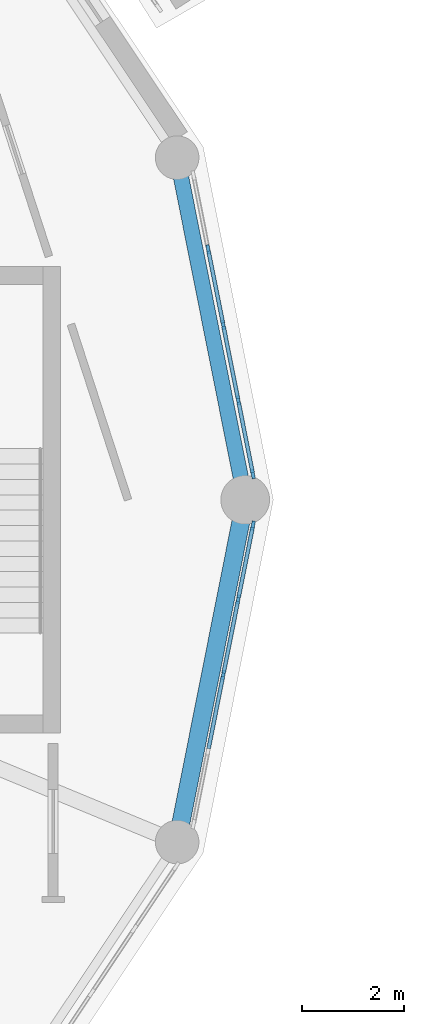
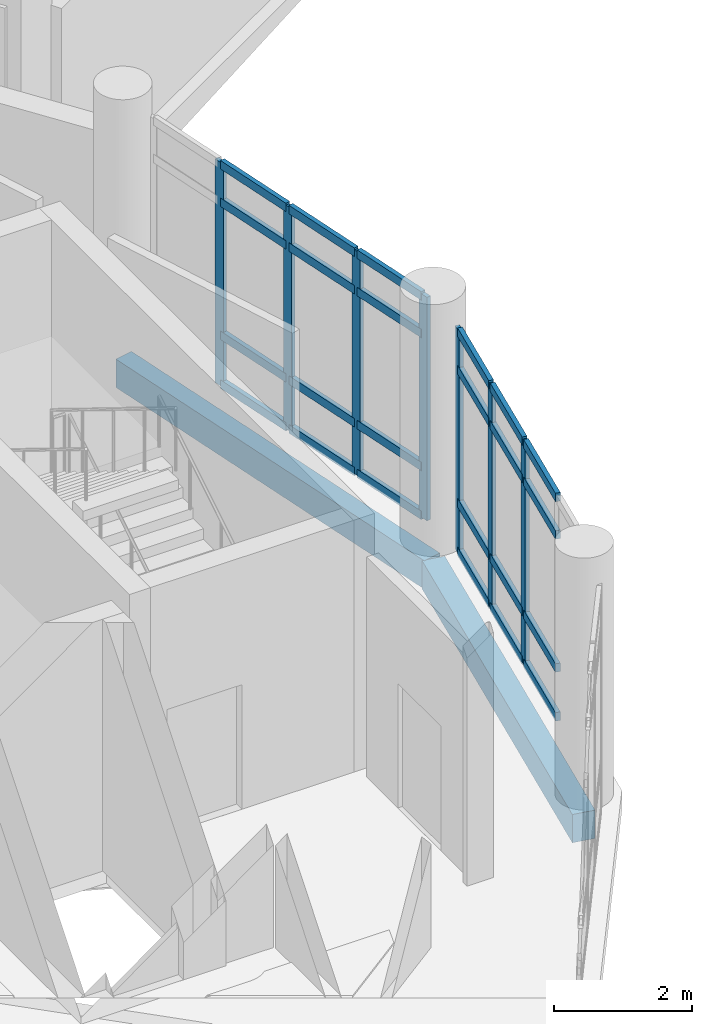
# One storey, part 15 of 75: 31 members, 2 beams, 2 elements without a shape of their own.
"""IFC4 building model written with IfcOpenShell, lengths in metres."""

import ifcopenshell
import ifcopenshell.guid

model = None  # the IFC model being written
_history = None  # IfcOwnerHistory: only IFC2X3 demands one
_inside = {}  # id of a spatial element -> (the spatial element, [elements in it])
_under = {}  # id of a project, library or spatial element -> (it, [spatial elements below it])
_declared = {}  # id of a project -> (the project, [libraries it declares])
_typed = {}  # id of a type object -> (the type object, [elements of that type])
_made_of = {}  # id of a material, layer set ... -> (it, [elements and type objects made of it])


def new_model(schema):
    """Start an empty IFC model of exactly this schema.

    Asked for "IFC4X3", IfcOpenShell would pick the latest addendum, in which some entities
    have other attributes; the version numbers below select the first issue.
    IFC2X3 requires an IfcOwnerHistory on every rooted entity: one is made here for all.
    """
    global model, _history
    if schema == "IFC4X3":
        model = ifcopenshell.file(schema_version=(4, 3, 0, 0))
    else:
        model = ifcopenshell.file(schema=schema)
    _inside.clear()
    _under.clear()
    _declared.clear()
    _typed.clear()
    _made_of.clear()
    _history = None
    if model.schema == "IFC2X3":
        org = make("IfcOrganization", Name="unknown")
        user = make(
            "IfcPersonAndOrganization",
            ThePerson=make("IfcPerson", FamilyName="unknown"),
            TheOrganization=org,
        )
        app = make(
            "IfcApplication",
            ApplicationDeveloper=org,
            Version="unknown",
            ApplicationFullName="unknown",
            ApplicationIdentifier="unknown",
        )
        _history = make(
            "IfcOwnerHistory",
            OwningUser=user,
            OwningApplication=app,
            ChangeAction="ADDED",
            CreationDate=0,
        )
    return model


def make(cls, **values):
    """One entity of the class cls with the attributes given. An attribute that is None is left unset."""
    return model.create_entity(
        cls, **{name: value for name, value in values.items() if value is not None}
    )


def rooted(cls, **values):
    """An entity with a GlobalId (a new one), such as an element, a storey or a relation."""
    return make(cls, GlobalId=ifcopenshell.guid.new(), OwnerHistory=_history, **values)


def si_unit(unit_type, name, prefix=None):
    """IfcSIUnit, for example si_unit("LENGTHUNIT", "METRE", prefix="MILLI")."""
    return make("IfcSIUnit", UnitType=unit_type, Prefix=prefix, Name=name)


def assignment(units):
    """IfcUnitAssignment: the units of a project."""
    return None if units is None else make("IfcUnitAssignment", Units=units)


def point(xyz):
    """IfcCartesianPoint."""
    return None if xyz is None else make("IfcCartesianPoint", Coordinates=xyz)


def direction(xyz):
    """IfcDirection."""
    return None if xyz is None else make("IfcDirection", DirectionRatios=xyz)


def frame(location, z_axis=None, x_axis=None):
    """IfcAxis2Placement3D, a coordinate frame: its origin and axes. An axis left out is left unset."""
    return make(
        "IfcAxis2Placement3D",
        Location=point(location),
        Axis=direction(z_axis),
        RefDirection=direction(x_axis),
    )


def frame_2d(location, x_axis=None):
    """IfcAxis2Placement2D, a coordinate frame in the plane: its origin and x axis."""
    return make(
        "IfcAxis2Placement2D", Location=point(location), RefDirection=direction(x_axis)
    )


def origin():
    """The frame at (0, 0, 0) with its axes left unset."""
    return frame((0.0, 0.0, 0.0))


def origin_2d():
    """The frame at (0, 0) in the plane with its x axis left unset."""
    return frame_2d((0.0, 0.0))


def place(relative_to, where):
    """IfcLocalPlacement: puts the frame where relative to a parent placement (None: the world)."""
    return make(
        "IfcLocalPlacement", PlacementRelTo=relative_to, RelativePlacement=where
    )


def context(
    kind, dimensions, precision=None, world=None, true_north=None, identifier=None
):
    """IfcGeometricRepresentationContext, for example the 3D "Model" context."""
    return make(
        "IfcGeometricRepresentationContext",
        ContextIdentifier=identifier,
        ContextType=kind,
        CoordinateSpaceDimension=dimensions,
        Precision=precision,
        WorldCoordinateSystem=world,
        TrueNorth=true_north,
    )


def subcontext(parent, identifier, kind, view, scale=None):
    """IfcGeometricRepresentationSubContext, for example "Body" below "Model"."""
    return make(
        "IfcGeometricRepresentationSubContext",
        ContextIdentifier=identifier,
        ContextType=kind,
        ParentContext=parent,
        TargetScale=scale,
        TargetView=view,
    )


def project(units=None, contexts=None):
    """IfcProject with its units and contexts."""
    return rooted(
        "IfcProject",
        Name="project",
        RepresentationContexts=contexts,
        UnitsInContext=assignment(units),
    )


def spatial(cls, under=None, at=None, **own):
    """A site, building, storey or space (cls), placed at a placement, below another one or the project."""
    s = rooted(cls, ObjectPlacement=at, **own)
    if under is not None:
        _under.setdefault(under.id(), (under, []))[1].append(s)
    return s


def profile(cls, at=None, kind="AREA", **sizes):
    """A parametric profile (cls). Its sizes go by their IFC names, for example OverallWidth=200.0."""
    return make(cls, ProfileType=kind, Position=at, **sizes)


def rectangle(**sizes):
    """IfcRectangleProfileDef."""
    return profile("IfcRectangleProfileDef", **sizes)


def extrude(swept, where, along, depth):
    """IfcExtrudedAreaSolid: the profile swept, set in the frame where, extruded along a direction by depth."""
    return make(
        "IfcExtrudedAreaSolid",
        SweptArea=swept,
        Position=where,
        ExtrudedDirection=direction(along),
        Depth=depth,
    )


def shape(context_of_items, identifier, shape_type, items):
    """IfcShapeRepresentation: the items that make up one representation, for example the "Body"."""
    return make(
        "IfcShapeRepresentation",
        ContextOfItems=context_of_items,
        RepresentationIdentifier=identifier,
        RepresentationType=shape_type,
        Items=items,
    )


def material(Name=None, Category=None):
    """IfcMaterial."""
    return make("IfcMaterial", Name=Name, Category=Category)


def material_profile(
    of_material, cross_section, Name=None, Category=None, Priority=None
):
    """IfcMaterialProfile: a cross section and its material."""
    return make(
        "IfcMaterialProfile",
        Name=Name,
        Material=of_material,
        Profile=cross_section,
        Priority=Priority,
        Category=Category,
    )


def profile_set(profiles, Name=None, composite=None):
    """IfcMaterialProfileSet."""
    return make(
        "IfcMaterialProfileSet",
        Name=Name,
        MaterialProfiles=profiles,
        CompositeProfile=composite,
    )


def made_of(thing, what):
    """Note that an element or type object is made of a material, layer set ...; save() writes the relation."""
    if what is not None:
        _made_of.setdefault(what.id(), (what, []))[1].append(thing)
    return thing


def type_object(cls, material=None, **own):
    """A type object (cls), such as IfcWallType, which elements share."""
    return made_of(rooted(cls, **own), material)


def element(
    cls,
    number,
    at=None,
    inside=None,
    cuts=None,
    type_object=None,
    material=None,
    context=None,
    identifier="Body",
    shape_type=None,
    held_by="IfcProductDefinitionShape",
    body=None,
    shapes=None,
    **own,
):
    """One element of the class cls, such as IfcWall. Its Tag is "e" and its number.

    at: its placement. inside: the storey or other place that contains it. cuts: it is an
    opening in that element (IfcRelVoidsElement). A single representation is given by context,
    identifier, shape_type and body (its items); several are given by shapes. held_by: the class
    of the entity that holds the representations. save() writes the other relations.
    """
    e = rooted(cls, Tag="e%d" % number, ObjectPlacement=at, **own)
    if body is not None:
        shapes = [shape(context, identifier, shape_type, body)]
    if shapes is not None:
        e.Representation = make(held_by, Representations=shapes)
    if inside is not None:
        _inside.setdefault(inside.id(), (inside, []))[1].append(e)
    if cuts is not None:
        rooted(
            "IfcRelVoidsElement", RelatingBuildingElement=cuts, RelatedOpeningElement=e
        )
    if type_object is not None:
        _typed.setdefault(type_object.id(), (type_object, []))[1].append(e)
    return made_of(e, material)


def aggregate(whole, parts):
    """IfcRelAggregates: a whole, such as a stair, and the parts it consists of."""
    return rooted("IfcRelAggregates", RelatingObject=whole, RelatedObjects=parts)


def save(model, path):
    """Write the relations noted so far, then the file.

    IfcRelAggregates (storeys below a building ...), IfcRelContainedInSpatialStructure (elements
    in a storey), IfcRelDefinesByType, IfcRelAssociatesMaterial and IfcRelDeclares: one each for
    every whole, place, type object, material and project.
    """
    for whole, parts in _under.values():
        aggregate(whole, parts)
    for where, things in _inside.values():
        rooted(
            "IfcRelContainedInSpatialStructure",
            RelatedElements=things,
            RelatingStructure=where,
        )
    for kind, things in _typed.values():
        rooted("IfcRelDefinesByType", RelatedObjects=things, RelatingType=kind)
    for what, things in _made_of.values():
        rooted("IfcRelAssociatesMaterial", RelatedObjects=things, RelatingMaterial=what)
    for by, libraries in _declared.values():
        rooted("IfcRelDeclares", RelatingContext=by, RelatedDefinitions=libraries)
    model.write(path)


model = new_model("IFC4")

# Units and contexts
model_context = context("Model", 3, precision=1e-05, world=origin(), true_north=direction((0.0, 1.0)))
body_context = subcontext(model_context, "Body", "Model", "MODEL_VIEW")
ifc_project = project(units=[si_unit("LENGTHUNIT", "METRE"), si_unit("AREAUNIT", "SQUARE_METRE"), si_unit("VOLUMEUNIT", "CUBIC_METRE"), si_unit("PLANEANGLEUNIT", "RADIAN"), si_unit("MASSUNIT", "GRAM", prefix="KILO")], contexts=[model_context])

# Site, building, storey
site_placement = place(None, origin())
site = spatial("IfcSite", under=ifc_project, at=site_placement, CompositionType="ELEMENT")
building_placement = place(site_placement, origin())
building = spatial("IfcBuilding", under=site, at=building_placement, Name="Soyqirgoq Riverine Aquarium", CompositionType="ELEMENT")
storey_placement = place(building_placement, frame((0.0, 0.0, 10.199951171875)))
storey = spatial("IfcBuildingStorey", under=building, at=storey_placement, Name="L03", CompositionType="ELEMENT", Elevation=10.199951171875)

# Curtain wall, members
ifc_material_1 = material(Name="Anodised aluminium thermally broken triple low-E glazing", Category="aluminium")
curtain_wall_type = type_object("IfcCurtainWallType", Name="CW_DrumGallery_Unitised", PredefinedType="NOTDEFINED", material=ifc_material_1)
curtain_wall_1_placement = place(storey_placement, origin())
curtain_wall_1 = element("IfcCurtainWall", 1, at=curtain_wall_1_placement, inside=storey, type_object=curtain_wall_type, Name="V1 L03 Curtain Wall 003", PredefinedType="NOTDEFINED")
ifc_material_2 = material(Name="Anodised aluminium 6063-T6", Category="aluminium")
ifc_material_profile_1 = material_profile(ifc_material_2, rectangle(XDim=0.06494140625, YDim=0.179931640625, at=origin_2d()), Name="ALU-M 65x180")
ifc_profile_set_1 = profile_set([ifc_material_profile_1], Name="Anodised aluminium 6063-T6")
member_type_1 = type_object("IfcMemberType", Name="CWMullion_65x180", PredefinedType="MULLION", material=ifc_profile_set_1)
member_1_placement = place(storey_placement, frame((73.600341796875, 57.5009765625, 0.0), z_axis=(0.0, 0.0, 1.0), x_axis=(-0.980784364221, -0.195094927919, 0.0)))
member_1 = element("IfcMember", 2, at=member_1_placement, type_object=member_type_1, Name="CW-01 mullion 1", PredefinedType="MULLION", context=body_context, shape_type="SweptSolid", body=[
    extrude(rectangle(XDim=0.06494140625, YDim=0.179931640625, at=origin_2d()), origin(), (0.0, 0.0, 1.0), 3.949951171875),
])
member_2_placement = place(storey_placement, frame((73.313720703125, 58.942138671875, 0.0), z_axis=(0.0, 0.0, 1.0), x_axis=(-0.980784364221, -0.195094927919, 0.0)))
member_2 = element("IfcMember", 3, at=member_2_placement, type_object=member_type_1, Name="CW-01 mullion 2", PredefinedType="MULLION", context=body_context, shape_type="SweptSolid", body=[
    extrude(rectangle(XDim=0.06494140625, YDim=0.179931640625, at=origin_2d()), origin(), (0.0, 0.0, 1.0), 3.949951171875),
])
member_3_placement = place(storey_placement, frame((73.020751953125, 60.415283203125, 0.0), z_axis=(0.0, 0.0, 1.0), x_axis=(-0.980784364221, -0.195094927919, 0.0)))
member_3 = element("IfcMember", 4, at=member_3_placement, type_object=member_type_1, Name="CW-01 mullion 3", PredefinedType="MULLION", context=body_context, shape_type="SweptSolid", body=[
    extrude(rectangle(XDim=0.06494140625, YDim=0.179931640625, at=origin_2d()), origin(), (0.0, 0.0, 1.0), 3.949951171875),
])
member_4_placement = place(storey_placement, frame((72.7275390625, 61.888427734375, 0.0), z_axis=(0.0, 0.0, 1.0), x_axis=(-0.980784364221, -0.195094927919, 0.0)))
member_4 = element("IfcMember", 5, at=member_4_placement, type_object=member_type_1, Name="CW-01 mullion 4", PredefinedType="MULLION", context=body_context, shape_type="SweptSolid", body=[
    extrude(rectangle(XDim=0.06494140625, YDim=0.179931640625, at=origin_2d()), origin(), (0.0, 0.0, 1.0), 3.949951171875),
])

curtain_wall_2_placement = place(storey_placement, origin())
curtain_wall_2 = element("IfcCurtainWall", 6, at=curtain_wall_2_placement, inside=storey, type_object=curtain_wall_type, Name="V1 L03 Curtain Wall 074", PredefinedType="NOTDEFINED")
member_5_placement = place(storey_placement, frame((73.020751953125, 53.584716796875, 0.0), z_axis=(0.0, 0.0, 1.0), x_axis=(-0.980784364221, 0.195094927919, 0.0)))
member_5 = element("IfcMember", 7, at=member_5_placement, type_object=member_type_1, Name="CW-01 mullion 3", PredefinedType="MULLION", context=body_context, shape_type="SweptSolid", body=[
    extrude(rectangle(XDim=0.06494140625, YDim=0.179931640625, at=origin_2d()), origin(), (0.0, 0.0, 1.0), 3.949951171875),
])
member_6_placement = place(storey_placement, frame((73.313720703125, 55.057861328125, 0.0), z_axis=(0.0, 0.0, 1.0), x_axis=(-0.980784364221, 0.195094927919, 0.0)))
member_6 = element("IfcMember", 8, at=member_6_placement, type_object=member_type_1, Name="CW-01 mullion 4", PredefinedType="MULLION", context=body_context, shape_type="SweptSolid", body=[
    extrude(rectangle(XDim=0.06494140625, YDim=0.179931640625, at=origin_2d()), origin(), (0.0, 0.0, 1.0), 3.949951171875),
])
member_7_placement = place(storey_placement, frame((73.600341796875, 56.4990234375, 0.0), z_axis=(0.0, 0.0, 1.0), x_axis=(-0.980784364221, 0.195094927919, 0.0)))
member_7 = element("IfcMember", 9, at=member_7_placement, type_object=member_type_1, Name="CW-01 mullion 5", PredefinedType="MULLION", context=body_context, shape_type="SweptSolid", body=[
    extrude(rectangle(XDim=0.06494140625, YDim=0.179931640625, at=origin_2d()), origin(), (0.0, 0.0, 1.0), 3.949951171875),
])

# Member
ifc_material_3 = material(Name="Anodised aluminium 6063-T6", Category="aluminium")
ifc_material_profile_2 = material_profile(ifc_material_3, rectangle(XDim=0.074951171875, YDim=0.14990234375, at=origin_2d()), Name="ALU-T 75x150")
ifc_profile_set_2 = profile_set([ifc_material_profile_2], Name="Anodised aluminium 6063-T6")
member_type_2 = type_object("IfcMemberType", Name="CWTransom_75x150", PredefinedType="USERDEFINED", material=ifc_profile_set_2)
member_8_placement = place(storey_placement, frame((73.593994140625, 57.532958984375, 0.03759765625), z_axis=(-0.195046246068, 0.980794046625, 0.0), x_axis=(-0.980794046625, -0.195046246068, 0.0)))
member_8 = element("IfcMember", 10, at=member_8_placement, type_object=member_type_2, Name="CW-01 transom 1.1", ObjectType="TRANSOM", PredefinedType="USERDEFINED", context=body_context, shape_type="SweptSolid", body=[
    extrude(rectangle(XDim=0.074951171875, YDim=0.14990234375, at=origin_2d()), origin(), (0.0, 0.0, 1.0), 1.404296875),
])

member_9_placement = place(storey_placement, frame((73.593994140625, 57.532958984375, 0.900146484375), z_axis=(-0.195046246068, 0.980794046625, 0.0), x_axis=(-0.980794046625, -0.195046246068, 0.0)))
member_9 = element("IfcMember", 11, at=member_9_placement, type_object=member_type_2, Name="CW-01 transom 1.2", ObjectType="TRANSOM", PredefinedType="USERDEFINED", context=body_context, shape_type="SweptSolid", body=[
    extrude(rectangle(XDim=0.074951171875, YDim=0.14990234375, at=origin_2d()), origin(), (0.0, 0.0, 1.0), 1.404296875),
])

member_10_placement = place(storey_placement, frame((73.593994140625, 57.532958984375, 3.25), z_axis=(-0.195046246068, 0.980794046625, 0.0), x_axis=(-0.980794046625, -0.195046246068, 0.0)))
member_10 = element("IfcMember", 12, at=member_10_placement, type_object=member_type_2, Name="CW-01 transom 1.3", ObjectType="TRANSOM", PredefinedType="USERDEFINED", context=body_context, shape_type="SweptSolid", body=[
    extrude(rectangle(XDim=0.074951171875, YDim=0.14990234375, at=origin_2d()), origin(), (0.0, 0.0, 1.0), 1.404296875),
])

member_11_placement = place(storey_placement, frame((73.593994140625, 57.532958984375, 3.91259765625), z_axis=(-0.195046246068, 0.980794046625, 0.0), x_axis=(-0.980794046625, -0.195046246068, 0.0)))
member_11 = element("IfcMember", 13, at=member_11_placement, type_object=member_type_2, Name="CW-01 transom 1.4", ObjectType="TRANSOM", PredefinedType="USERDEFINED", context=body_context, shape_type="SweptSolid", body=[
    extrude(rectangle(XDim=0.074951171875, YDim=0.14990234375, at=origin_2d()), origin(), (0.0, 0.0, 1.0), 1.404296875),
])

member_12_placement = place(storey_placement, frame((73.307373046875, 58.97412109375, 0.03759765625), z_axis=(-0.195037845707, 0.980795717131, 0.0), x_axis=(-0.980795717131, -0.195037845707, 0.0)))
member_12 = element("IfcMember", 14, at=member_12_placement, type_object=member_type_2, Name="CW-01 transom 2.1", ObjectType="TRANSOM", PredefinedType="USERDEFINED", context=body_context, shape_type="SweptSolid", body=[
    extrude(rectangle(XDim=0.074951171875, YDim=0.14990234375, at=origin_2d()), origin(), (0.0, 0.0, 1.0), 1.43701171875),
])

member_13_placement = place(storey_placement, frame((73.307373046875, 58.97412109375, 0.900146484375), z_axis=(-0.195037845707, 0.980795717131, 0.0), x_axis=(-0.980795717131, -0.195037845707, 0.0)))
member_13 = element("IfcMember", 15, at=member_13_placement, type_object=member_type_2, Name="CW-01 transom 2.2", ObjectType="TRANSOM", PredefinedType="USERDEFINED", context=body_context, shape_type="SweptSolid", body=[
    extrude(rectangle(XDim=0.074951171875, YDim=0.14990234375, at=origin_2d()), origin(), (0.0, 0.0, 1.0), 1.43701171875),
])

member_14_placement = place(storey_placement, frame((73.307373046875, 58.97412109375, 3.25), z_axis=(-0.195037845707, 0.980795717131, 0.0), x_axis=(-0.980795717131, -0.195037845707, 0.0)))
member_14 = element("IfcMember", 16, at=member_14_placement, type_object=member_type_2, Name="CW-01 transom 2.3", ObjectType="TRANSOM", PredefinedType="USERDEFINED", context=body_context, shape_type="SweptSolid", body=[
    extrude(rectangle(XDim=0.074951171875, YDim=0.14990234375, at=origin_2d()), origin(), (0.0, 0.0, 1.0), 1.43701171875),
])

member_15_placement = place(storey_placement, frame((73.307373046875, 58.97412109375, 3.91259765625), z_axis=(-0.195037845707, 0.980795717131, 0.0), x_axis=(-0.980795717131, -0.195037845707, 0.0)))
member_15 = element("IfcMember", 17, at=member_15_placement, type_object=member_type_2, Name="CW-01 transom 2.4", ObjectType="TRANSOM", PredefinedType="USERDEFINED", context=body_context, shape_type="SweptSolid", body=[
    extrude(rectangle(XDim=0.074951171875, YDim=0.14990234375, at=origin_2d()), origin(), (0.0, 0.0, 1.0), 1.43701171875),
])

member_16_placement = place(storey_placement, frame((73.014404296875, 60.447265625, 0.03759765625), z_axis=(-0.195233798185, 0.980756730309, 0.0), x_axis=(-0.980756730309, -0.195233798185, 0.0)))
member_16 = element("IfcMember", 18, at=member_16_placement, type_object=member_type_2, Name="CW-01 transom 3.1", ObjectType="TRANSOM", PredefinedType="USERDEFINED", context=body_context, shape_type="SweptSolid", body=[
    extrude(rectangle(XDim=0.074951171875, YDim=0.14990234375, at=origin_2d()), origin(), (0.0, 0.0, 1.0), 1.436767578125),
])

member_17_placement = place(storey_placement, frame((73.014404296875, 60.447265625, 0.900146484375), z_axis=(-0.195233798185, 0.980756730309, 0.0), x_axis=(-0.980756730309, -0.195233798185, 0.0)))
member_17 = element("IfcMember", 19, at=member_17_placement, type_object=member_type_2, Name="CW-01 transom 3.2", ObjectType="TRANSOM", PredefinedType="USERDEFINED", context=body_context, shape_type="SweptSolid", body=[
    extrude(rectangle(XDim=0.074951171875, YDim=0.14990234375, at=origin_2d()), origin(), (0.0, 0.0, 1.0), 1.436767578125),
])

member_18_placement = place(storey_placement, frame((73.014404296875, 60.447265625, 3.25), z_axis=(-0.195233798185, 0.980756730309, 0.0), x_axis=(-0.980756730309, -0.195233798185, 0.0)))
member_18 = element("IfcMember", 20, at=member_18_placement, type_object=member_type_2, Name="CW-01 transom 3.3", ObjectType="TRANSOM", PredefinedType="USERDEFINED", context=body_context, shape_type="SweptSolid", body=[
    extrude(rectangle(XDim=0.074951171875, YDim=0.14990234375, at=origin_2d()), origin(), (0.0, 0.0, 1.0), 1.436767578125),
])

member_19_placement = place(storey_placement, frame((73.014404296875, 60.447265625, 3.91259765625), z_axis=(-0.195233798185, 0.980756730309, 0.0), x_axis=(-0.980756730309, -0.195233798185, 0.0)))
member_19 = element("IfcMember", 21, at=member_19_placement, type_object=member_type_2, Name="CW-01 transom 3.4", ObjectType="TRANSOM", PredefinedType="USERDEFINED", context=body_context, shape_type="SweptSolid", body=[
    extrude(rectangle(XDim=0.074951171875, YDim=0.14990234375, at=origin_2d()), origin(), (0.0, 0.0, 1.0), 1.436767578125),
])

aggregate(curtain_wall_1, [member_1, member_2, member_3, member_4, member_8, member_9, member_10, member_11, member_12, member_13, member_14, member_15, member_16, member_17, member_18, member_19])

member_20_placement = place(storey_placement, frame((72.73388671875, 52.1435546875, 0.03759765625), z_axis=(0.195233798185, 0.980756730309, 0.0), x_axis=(-0.980756730309, 0.195233798185, 0.0)))
member_20 = element("IfcMember", 22, at=member_20_placement, type_object=member_type_2, Name="CW-01 transom 2.1", ObjectType="TRANSOM", PredefinedType="USERDEFINED", context=body_context, shape_type="SweptSolid", body=[
    extrude(rectangle(XDim=0.074951171875, YDim=0.14990234375, at=origin_2d()), origin(), (0.0, 0.0, 1.0), 1.436767578125),
])

member_21_placement = place(storey_placement, frame((72.73388671875, 52.1435546875, 0.900146484375), z_axis=(0.195233798185, 0.980756730309, 0.0), x_axis=(-0.980756730309, 0.195233798185, 0.0)))
member_21 = element("IfcMember", 23, at=member_21_placement, type_object=member_type_2, Name="CW-01 transom 2.2", ObjectType="TRANSOM", PredefinedType="USERDEFINED", context=body_context, shape_type="SweptSolid", body=[
    extrude(rectangle(XDim=0.074951171875, YDim=0.14990234375, at=origin_2d()), origin(), (0.0, 0.0, 1.0), 1.436767578125),
])

member_22_placement = place(storey_placement, frame((72.73388671875, 52.1435546875, 3.25), z_axis=(0.195233798185, 0.980756730309, 0.0), x_axis=(-0.980756730309, 0.195233798185, 0.0)))
member_22 = element("IfcMember", 24, at=member_22_placement, type_object=member_type_2, Name="CW-01 transom 2.3", ObjectType="TRANSOM", PredefinedType="USERDEFINED", context=body_context, shape_type="SweptSolid", body=[
    extrude(rectangle(XDim=0.074951171875, YDim=0.14990234375, at=origin_2d()), origin(), (0.0, 0.0, 1.0), 1.436767578125),
])

member_23_placement = place(storey_placement, frame((72.73388671875, 52.1435546875, 3.91259765625), z_axis=(0.195233798185, 0.980756730309, 0.0), x_axis=(-0.980756730309, 0.195233798185, 0.0)))
member_23 = element("IfcMember", 25, at=member_23_placement, type_object=member_type_2, Name="CW-01 transom 2.4", ObjectType="TRANSOM", PredefinedType="USERDEFINED", context=body_context, shape_type="SweptSolid", body=[
    extrude(rectangle(XDim=0.074951171875, YDim=0.14990234375, at=origin_2d()), origin(), (0.0, 0.0, 1.0), 1.436767578125),
])

member_24_placement = place(storey_placement, frame((73.027099609375, 53.616455078125, 0.03759765625), z_axis=(0.195037845707, 0.980795717131, 0.0), x_axis=(-0.980795717131, 0.195037845707, 0.0)))
member_24 = element("IfcMember", 26, at=member_24_placement, type_object=member_type_2, Name="CW-01 transom 3.1", ObjectType="TRANSOM", PredefinedType="USERDEFINED", context=body_context, shape_type="SweptSolid", body=[
    extrude(rectangle(XDim=0.074951171875, YDim=0.14990234375, at=origin_2d()), origin(), (0.0, 0.0, 1.0), 1.43701171875),
])

member_25_placement = place(storey_placement, frame((73.027099609375, 53.616455078125, 0.900146484375), z_axis=(0.195037845707, 0.980795717131, 0.0), x_axis=(-0.980795717131, 0.195037845707, 0.0)))
member_25 = element("IfcMember", 27, at=member_25_placement, type_object=member_type_2, Name="CW-01 transom 3.2", ObjectType="TRANSOM", PredefinedType="USERDEFINED", context=body_context, shape_type="SweptSolid", body=[
    extrude(rectangle(XDim=0.074951171875, YDim=0.14990234375, at=origin_2d()), origin(), (0.0, 0.0, 1.0), 1.43701171875),
])

member_26_placement = place(storey_placement, frame((73.027099609375, 53.616455078125, 3.25), z_axis=(0.195037845707, 0.980795717131, 0.0), x_axis=(-0.980795717131, 0.195037845707, 0.0)))
member_26 = element("IfcMember", 28, at=member_26_placement, type_object=member_type_2, Name="CW-01 transom 3.3", ObjectType="TRANSOM", PredefinedType="USERDEFINED", context=body_context, shape_type="SweptSolid", body=[
    extrude(rectangle(XDim=0.074951171875, YDim=0.14990234375, at=origin_2d()), origin(), (0.0, 0.0, 1.0), 1.43701171875),
])

member_27_placement = place(storey_placement, frame((73.027099609375, 53.616455078125, 3.91259765625), z_axis=(0.195037845707, 0.980795717131, 0.0), x_axis=(-0.980795717131, 0.195037845707, 0.0)))
member_27 = element("IfcMember", 29, at=member_27_placement, type_object=member_type_2, Name="CW-01 transom 3.4", ObjectType="TRANSOM", PredefinedType="USERDEFINED", context=body_context, shape_type="SweptSolid", body=[
    extrude(rectangle(XDim=0.074951171875, YDim=0.14990234375, at=origin_2d()), origin(), (0.0, 0.0, 1.0), 1.43701171875),
])

member_28_placement = place(storey_placement, frame((73.320068359375, 55.089599609375, 0.03759765625), z_axis=(0.195046246068, 0.980794046625, 0.0), x_axis=(-0.980794046625, 0.195046246068, 0.0)))
member_28 = element("IfcMember", 30, at=member_28_placement, type_object=member_type_2, Name="CW-01 transom 4.1", ObjectType="TRANSOM", PredefinedType="USERDEFINED", context=body_context, shape_type="SweptSolid", body=[
    extrude(rectangle(XDim=0.074951171875, YDim=0.14990234375, at=origin_2d()), origin(), (0.0, 0.0, 1.0), 1.404296875),
])

member_29_placement = place(storey_placement, frame((73.320068359375, 55.089599609375, 0.900146484375), z_axis=(0.195046246068, 0.980794046625, 0.0), x_axis=(-0.980794046625, 0.195046246068, 0.0)))
member_29 = element("IfcMember", 31, at=member_29_placement, type_object=member_type_2, Name="CW-01 transom 4.2", ObjectType="TRANSOM", PredefinedType="USERDEFINED", context=body_context, shape_type="SweptSolid", body=[
    extrude(rectangle(XDim=0.074951171875, YDim=0.14990234375, at=origin_2d()), origin(), (0.0, 0.0, 1.0), 1.404296875),
])

member_30_placement = place(storey_placement, frame((73.320068359375, 55.089599609375, 3.25), z_axis=(0.195046246068, 0.980794046625, 0.0), x_axis=(-0.980794046625, 0.195046246068, 0.0)))
member_30 = element("IfcMember", 32, at=member_30_placement, type_object=member_type_2, Name="CW-01 transom 4.3", ObjectType="TRANSOM", PredefinedType="USERDEFINED", context=body_context, shape_type="SweptSolid", body=[
    extrude(rectangle(XDim=0.074951171875, YDim=0.14990234375, at=origin_2d()), origin(), (0.0, 0.0, 1.0), 1.404296875),
])

member_31_placement = place(storey_placement, frame((73.320068359375, 55.089599609375, 3.91259765625), z_axis=(0.195046246068, 0.980794046625, 0.0), x_axis=(-0.980794046625, 0.195046246068, 0.0)))
member_31 = element("IfcMember", 33, at=member_31_placement, type_object=member_type_2, Name="CW-01 transom 4.4", ObjectType="TRANSOM", PredefinedType="USERDEFINED", context=body_context, shape_type="SweptSolid", body=[
    extrude(rectangle(XDim=0.074951171875, YDim=0.14990234375, at=origin_2d()), origin(), (0.0, 0.0, 1.0), 1.404296875),
])

aggregate(curtain_wall_2, [member_5, member_6, member_7, member_20, member_21, member_22, member_23, member_24, member_25, member_26, member_27, member_28, member_29, member_30, member_31])

# Beams
ifc_material_4 = material(Name="Concrete C40/50", Category="concrete")
ifc_material_profile_3 = material_profile(ifc_material_4, rectangle(XDim=0.300048828125, YDim=0.5, at=origin_2d()), Name="RC 300x500")
ifc_profile_set_3 = profile_set([ifc_material_profile_3], Name="Concrete C40/50")
beam_type_1 = type_object("IfcBeamType", Name="Spandrel_RC_300x500", PredefinedType="SPANDREL", material=ifc_profile_set_3)
beam_1_placement = place(storey_placement, frame((73.446044921875, 57.01953125, -0.599853515625), z_axis=(-0.195096390568, 0.980784073274, 0.0), x_axis=(-0.980784073274, -0.195096390568, 0.0)))
element("IfcBeam", 34, at=beam_1_placement, inside=storey, type_object=beam_type_1, Name="V1 L03 Drum Spandrel Beam 0061", PredefinedType="SPANDREL", context=body_context, shape_type="SweptSolid", body=[
    extrude(rectangle(XDim=0.300048828125, YDim=0.5, at=origin_2d()), origin(), (0.0, 0.0, 1.0), 6.768798828125),
])
ifc_material_5 = material(Name="Concrete C40/50", Category="concrete")
ifc_material_profile_4 = material_profile(ifc_material_5, rectangle(XDim=0.35009765625, YDim=0.5, at=origin_2d()), Name="RC 350x500")
ifc_profile_set_4 = profile_set([ifc_material_profile_4], Name="Concrete C40/50")
beam_type_2 = type_object("IfcBeamType", Name="Spandrel_RC_350x500", PredefinedType="SPANDREL", material=ifc_profile_set_4)
beam_2_placement = place(storey_placement, frame((72.12548828125, 50.341796875, -0.599853515625), z_axis=(0.195096390568, 0.980784073274, 0.0), x_axis=(-0.980784073274, 0.195096390568, 0.0)))
element("IfcBeam", 35, at=beam_2_placement, inside=storey, type_object=beam_type_2, Name="V1 L03 Drum Spandrel Beam 0087", PredefinedType="SPANDREL", context=body_context, shape_type="SweptSolid", body=[
    extrude(rectangle(XDim=0.35009765625, YDim=0.5, at=origin_2d()), origin(), (0.0, 0.0, 1.0), 6.768798828125),
])

save(model, "model.ifc")
